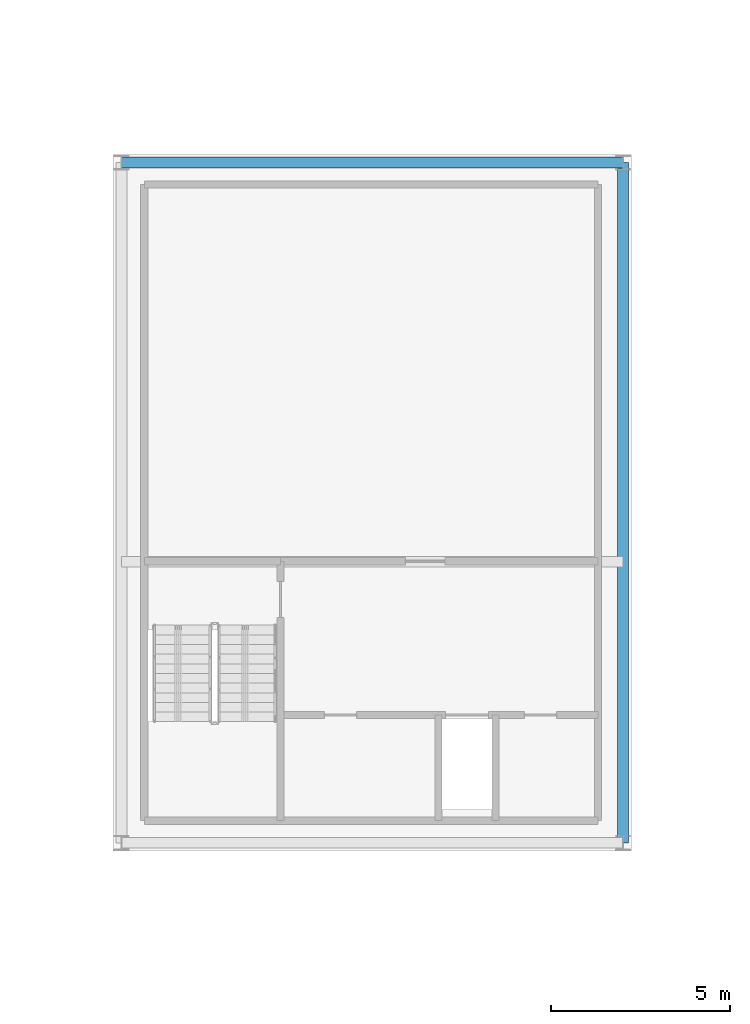
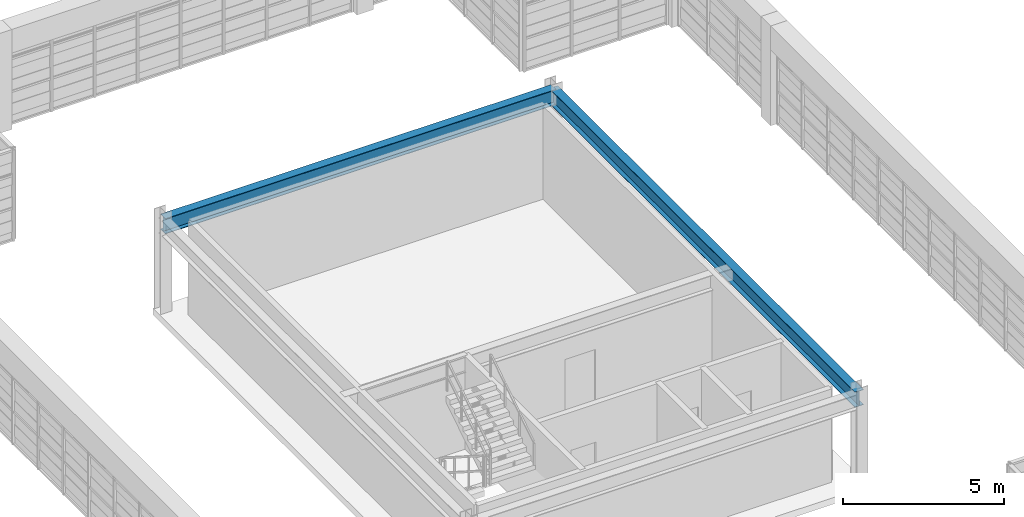
# One storey, part 13 of 27: 2 beams.
"""IFC4 building model written with IfcOpenShell, lengths in metres."""

from ifc_helpers import new_model, si_unit, direction, frame, origin, origin_2d, place, context, subcontext, project, spatial, i_section, extrude, source, transform, mapped, material, material_profile, profile_set, type_object, element, save


model = new_model("IFC4")

# Units and contexts
model_context = context("Model", 3, precision=1e-05, world=origin(), true_north=direction((0.0, 1.0)))
body_context = subcontext(model_context, "Body", "Model", "MODEL_VIEW")
ifc_project = project(units=[si_unit("LENGTHUNIT", "METRE"), si_unit("AREAUNIT", "SQUARE_METRE"), si_unit("VOLUMEUNIT", "CUBIC_METRE"), si_unit("PLANEANGLEUNIT", "RADIAN"), si_unit("MASSUNIT", "GRAM", prefix="KILO")], contexts=[model_context])

# Site, building, storey
site_placement = place(None, origin())
site = spatial("IfcSite", under=ifc_project, at=site_placement, CompositionType="ELEMENT")
building_placement = place(site_placement, origin())
building = spatial("IfcBuilding", under=site, at=building_placement, Name="Saelheon Loggia Tower", CompositionType="ELEMENT")
storey_placement = place(building_placement, frame((0.0, 0.0, 256.0)))
storey = spatial("IfcBuildingStorey", under=building, at=storey_placement, Name="CR2", CompositionType="ELEMENT", Elevation=256.0)

# Beams
ifc_material = material(Name="Steel SM355", Category="steel")
ifc_material_profile = material_profile(ifc_material, i_section(OverallWidth=0.300048828125, OverallDepth=0.587890625, WebThickness=0.011962890625, FlangeThickness=0.02001953125, at=origin_2d()), Name="H-588x300x12x20")
ifc_profile_set = profile_set([ifc_material_profile], Name="Steel SM355")
beam_type = type_object("IfcBeamType", Name="Beam_Girder_Steel_H588", PredefinedType="BEAM", material=ifc_profile_set)
shared_shape_1 = source(origin(), body_context, "Body", "SweptSolid", [
    extrude(i_section(OverallWidth=0.300048828125, OverallDepth=0.587890625, WebThickness=0.011962890625, FlangeThickness=0.02001953125, at=origin_2d()), origin(), (0.0, 0.0, 1.0), 14.0400390625),
])
beam_1_placement = place(storey_placement, frame((30.97998046875, 36.52001953125, 3.256103515625), z_axis=(1.0, 0.0, 0.0), x_axis=(0.0, 1.0, 0.0)))
element("IfcBeam", 1, at=beam_1_placement, inside=storey, type_object=beam_type, Name="BM-CR2-PL-N", PredefinedType="BEAM", context=body_context, shape_type="MappedRepresentation", body=[
    mapped(shared_shape_1, transform((0.0, 0.0, 0.0), scale=1.0)),
])
shared_shape_2 = source(origin(), body_context, "Body", "SweptSolid", [
    extrude(i_section(OverallWidth=0.300048828125, OverallDepth=0.587890625, WebThickness=0.011962890625, FlangeThickness=0.02001953125, at=origin_2d()), origin(), (0.0, 0.0, 1.0), 19.0400390625),
])
beam_2_placement = place(storey_placement, frame((45.02001953125, 17.47998046875, 3.256103515625), z_axis=(0.0, 1.0, 0.0), x_axis=(-1.0, 0.0, 0.0)))
element("IfcBeam", 2, at=beam_2_placement, inside=storey, type_object=beam_type, Name="BM-CR2-PL-E", PredefinedType="BEAM", context=body_context, shape_type="MappedRepresentation", body=[
    mapped(shared_shape_2, transform((0.0, 0.0, 0.0), scale=1.0)),
])

save(model, "model.ifc")
